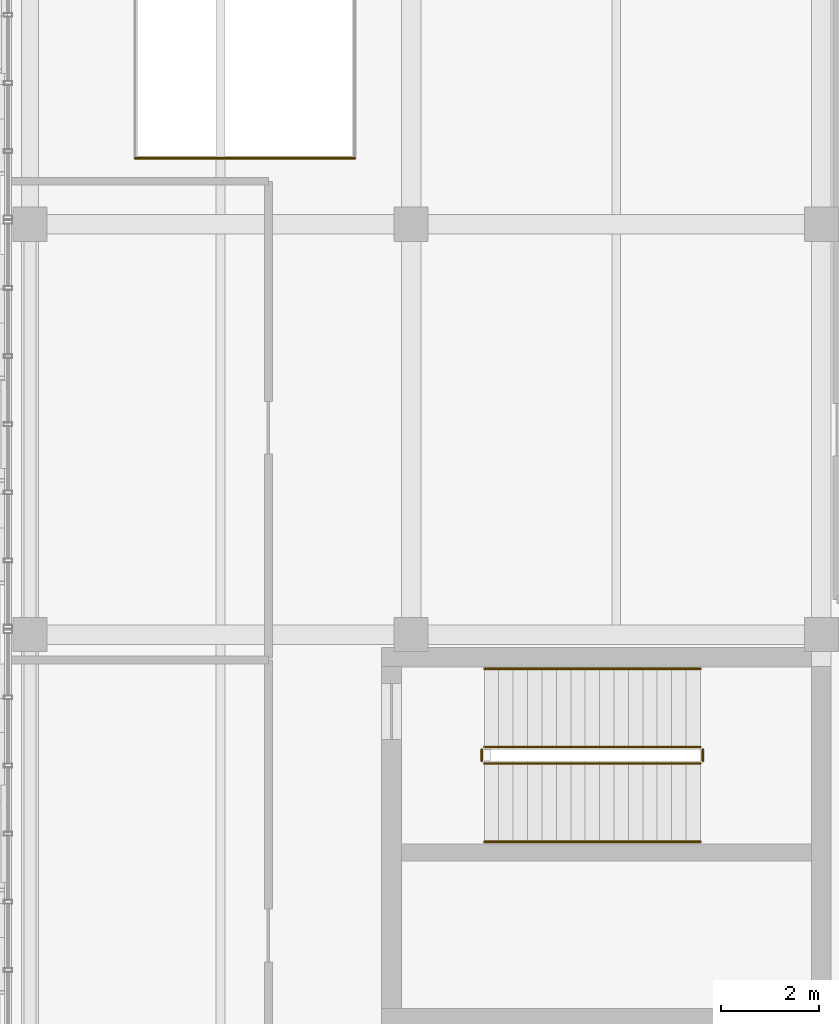
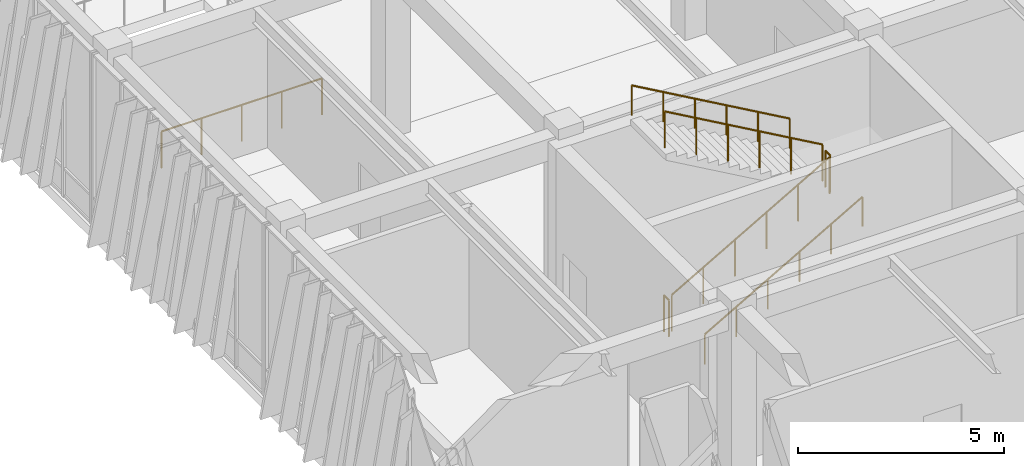
# One storey, part 127 of 139: 7 railings.
"""IFC4 building model written with IfcOpenShell, lengths in metres."""

from ifc_helpers import new_model, si_unit, direction, frame, origin, origin_2d, place, context, subcontext, project, spatial, circle, extrude, material, type_object, element, save


model = new_model("IFC4")

# Units and contexts
model_context = context("Model", 3, precision=1e-05, world=origin(), true_north=direction((0.0, 1.0)))
body_context = subcontext(model_context, "Body", "Model", "MODEL_VIEW")
ifc_project = project(units=[si_unit("LENGTHUNIT", "METRE"), si_unit("AREAUNIT", "SQUARE_METRE"), si_unit("VOLUMEUNIT", "CUBIC_METRE"), si_unit("PLANEANGLEUNIT", "RADIAN"), si_unit("MASSUNIT", "GRAM", prefix="KILO")], contexts=[model_context])

# Site, building, storey
site_placement = place(None, origin())
site = spatial("IfcSite", under=ifc_project, at=site_placement, CompositionType="ELEMENT")
building_placement = place(site_placement, origin())
building = spatial("IfcBuilding", under=site, at=building_placement, Name="Zayran Congress Hotel", CompositionType="ELEMENT")
storey_placement = place(building_placement, frame((0.0, 0.0, 5.39990234375)))
storey = spatial("IfcBuildingStorey", under=building, at=storey_placement, Name="L01", CompositionType="ELEMENT", Elevation=5.39990234375)

# Railings
ifc_material_1 = material(Name="Painted steel balustrade", Category="steel")
railing_type_1 = type_object("IfcRailingType", Name="TP-GRD-INT", PredefinedType="GUARDRAIL", material=ifc_material_1)
railing_1_placement = place(storey_placement, frame((119.10009765625, 56.56005859375, 0.1689453125)))
element("IfcRailing", 1, at=railing_1_placement, inside=storey, type_object=railing_type_1, Name="L01 ST-08 stair guard 1", PredefinedType="GUARDRAIL", context=body_context, shape_type="SweptSolid", body=[
    extrude(circle(Radius=0.02392578125, at=origin_2d()), frame((0.0, 0.0, 1.076171875), z_axis=(0.868007264643, 0.0, 0.496551496349), x_axis=(0.0, 1.0, 0.0)), (0.0, 0.0, 1.0), 5.09765625),
    extrude(circle(Radius=0.02099609375, at=origin_2d()), origin(), (0.0, 0.0, 1.0), 1.052001953125),
    extrude(circle(Radius=0.02099609375, at=origin_2d()), frame((0.885009765625, 0.0, 0.50634765625)), (0.0, 0.0, 1.0), 1.052001953125),
    extrude(circle(Radius=0.02099609375, at=origin_2d()), frame((1.77001953125, 0.0, 1.012451171875)), (0.0, 0.0, 1.0), 1.052001953125),
    extrude(circle(Radius=0.02099609375, at=origin_2d()), frame((2.65478515625, 0.0, 1.518798828125)), (0.0, 0.0, 1.0), 1.052001953125),
    extrude(circle(Radius=0.02099609375, at=origin_2d()), frame((3.539794921875, 0.0, 2.02490234375)), (0.0, 0.0, 1.0), 1.052001953125),
    extrude(circle(Radius=0.02099609375, at=origin_2d()), frame((4.4248046875, 0.0, 2.53125)), (0.0, 0.0, 1.0), 1.052001953125),
])
railing_2_placement = place(storey_placement, frame((123.574951171875, 56.610107421875, 2.7001953125)))
element("IfcRailing", 2, at=railing_2_placement, inside=storey, type_object=railing_type_1, Name="L01 ST-08 stair guard 2", PredefinedType="GUARDRAIL", context=body_context, shape_type="SweptSolid", body=[
    extrude(circle(Radius=0.02392578125, at=origin_2d()), frame((0.0, 0.0, 1.076171875), z_axis=(0.0, 1.0, 0.0), x_axis=(-1.0, 0.0, 0.0)), (0.0, 0.0, 1.0), 0.239990234375),
    extrude(circle(Radius=0.02099609375, at=origin_2d()), origin(), (0.0, 0.0, 1.0), 1.052001953125),
    extrude(circle(Radius=0.02099609375, at=origin_2d()), frame((0.0, 0.239990234375, 0.0)), (0.0, 0.0, 1.0), 1.052001953125),
])
railing_3_placement = place(storey_placement, frame((123.52490234375, 56.89990234375, 2.868896484375)))
element("IfcRailing", 3, at=railing_3_placement, inside=storey, type_object=railing_type_1, Name="L01 ST-08 stair guard 3", PredefinedType="GUARDRAIL", context=body_context, shape_type="SweptSolid", body=[
    extrude(circle(Radius=0.02392578125, at=origin_2d()), frame((0.0, 0.0, 1.076171875), z_axis=(-0.868007264643, 0.0, 0.496551496349), x_axis=(0.0, -1.0, 0.0)), (0.0, 0.0, 1.0), 5.09765625),
    extrude(circle(Radius=0.02099609375, at=origin_2d()), origin(), (0.0, 0.0, 1.0), 1.052001953125),
    extrude(circle(Radius=0.02099609375, at=origin_2d()), frame((-0.885009765625, 0.0, 0.50634765625)), (0.0, 0.0, 1.0), 1.052001953125),
    extrude(circle(Radius=0.02099609375, at=origin_2d()), frame((-1.77001953125, 0.0, 1.012451171875)), (0.0, 0.0, 1.0), 1.052001953125),
    extrude(circle(Radius=0.02099609375, at=origin_2d()), frame((-2.65478515625, 0.0, 1.518798828125)), (0.0, 0.0, 1.0), 1.052001953125),
    extrude(circle(Radius=0.02099609375, at=origin_2d()), frame((-3.539794921875, 0.0, 2.02490234375)), (0.0, 0.0, 1.0), 1.052001953125),
    extrude(circle(Radius=0.02099609375, at=origin_2d()), frame((-4.4248046875, 0.0, 2.53125)), (0.0, 0.0, 1.0), 1.052001953125),
])
railing_4_placement = place(storey_placement, frame((119.050048828125, 56.610107421875, 0.0)))
element("IfcRailing", 4, at=railing_4_placement, inside=storey, type_object=railing_type_1, Name="L01 ST-08 stair guard 4", PredefinedType="GUARDRAIL", context=body_context, shape_type="SweptSolid", body=[
    extrude(circle(Radius=0.02392578125, at=origin_2d()), frame((0.0, 0.0, 1.076171875), z_axis=(0.0, 1.0, 0.0), x_axis=(-1.0, 0.0, 0.0)), (0.0, 0.0, 1.0), 0.239990234375),
    extrude(circle(Radius=0.02099609375, at=origin_2d()), origin(), (0.0, 0.0, 1.0), 1.052001953125),
    extrude(circle(Radius=0.02099609375, at=origin_2d()), frame((0.0, 0.239990234375, 0.0)), (0.0, 0.0, 1.0), 1.052001953125),
])
railing_5_placement = place(storey_placement, frame((111.949951171875, 68.949951171875, 0.0)))
element("IfcRailing", 5, at=railing_5_placement, inside=storey, type_object=railing_type_1, Name="V4 L01 Interior Void Guardrail V4-L01-WL-S", PredefinedType="GUARDRAIL", context=body_context, shape_type="SweptSolid", body=[
    extrude(circle(Radius=0.02392578125, at=origin_2d()), frame((0.0, 0.0, 1.076171875), z_axis=(1.0, 0.0, 0.0), x_axis=(0.0, 1.0, 0.0)), (0.0, 0.0, 1.0), 4.5),
    extrude(circle(Radius=0.02099609375, at=origin_2d()), origin(), (0.0, 0.0, 1.0), 1.052001953125),
    extrude(circle(Radius=0.02099609375, at=origin_2d()), frame((1.125, 0.0, 0.0)), (0.0, 0.0, 1.0), 1.052001953125),
    extrude(circle(Radius=0.02099609375, at=origin_2d()), frame((2.25, 0.0, 0.0)), (0.0, 0.0, 1.0), 1.052001953125),
    extrude(circle(Radius=0.02099609375, at=origin_2d()), frame((3.375, 0.0, 0.0)), (0.0, 0.0, 1.0), 1.052001953125),
    extrude(circle(Radius=0.02099609375, at=origin_2d()), frame((4.5, 0.0, 0.0)), (0.0, 0.0, 1.0), 1.052001953125),
])
ifc_material_2 = material(Name="Brushed stainless steel handrail", Category="steel")
railing_type_2 = type_object("IfcRailingType", Name="TP-HND-STR", PredefinedType="HANDRAIL", material=ifc_material_2)
railing_6_placement = place(storey_placement, frame((119.10009765625, 54.9599609375, 0.1689453125)))
element("IfcRailing", 6, at=railing_6_placement, inside=storey, type_object=railing_type_2, Name="L01 ST-08 stair handrail 1", PredefinedType="HANDRAIL", context=body_context, shape_type="SweptSolid", body=[
    extrude(circle(Radius=0.02392578125, at=origin_2d()), frame((0.0, 0.0, 0.8759765625), z_axis=(0.868007264643, 0.0, 0.496551496349), x_axis=(0.0, 1.0, 0.0)), (0.0, 0.0, 1.0), 5.09765625),
    extrude(circle(Radius=0.02099609375, at=origin_2d()), origin(), (0.0, 0.0, 1.0), 0.851806640625),
    extrude(circle(Radius=0.02099609375, at=origin_2d()), frame((0.885009765625, 0.0, 0.50634765625)), (0.0, 0.0, 1.0), 0.851806640625),
    extrude(circle(Radius=0.02099609375, at=origin_2d()), frame((1.77001953125, 0.0, 1.012451171875)), (0.0, 0.0, 1.0), 0.851806640625),
    extrude(circle(Radius=0.02099609375, at=origin_2d()), frame((2.65478515625, 0.0, 1.518798828125)), (0.0, 0.0, 1.0), 0.851806640625),
    extrude(circle(Radius=0.02099609375, at=origin_2d()), frame((3.539794921875, 0.0, 2.02490234375)), (0.0, 0.0, 1.0), 0.851806640625),
    extrude(circle(Radius=0.02099609375, at=origin_2d()), frame((4.4248046875, 0.0, 2.53125)), (0.0, 0.0, 1.0), 0.851806640625),
])
railing_7_placement = place(storey_placement, frame((123.52490234375, 58.5, 2.868896484375)))
element("IfcRailing", 7, at=railing_7_placement, inside=storey, type_object=railing_type_2, Name="L01 ST-08 stair handrail 2", PredefinedType="HANDRAIL", context=body_context, shape_type="SweptSolid", body=[
    extrude(circle(Radius=0.02392578125, at=origin_2d()), frame((0.0, 0.0, 0.8759765625), z_axis=(-0.868007264643, 0.0, 0.496551496349), x_axis=(0.0, -1.0, 0.0)), (0.0, 0.0, 1.0), 5.09765625),
    extrude(circle(Radius=0.02099609375, at=origin_2d()), origin(), (0.0, 0.0, 1.0), 0.851806640625),
    extrude(circle(Radius=0.02099609375, at=origin_2d()), frame((-0.885009765625, 0.0, 0.50634765625)), (0.0, 0.0, 1.0), 0.851806640625),
    extrude(circle(Radius=0.02099609375, at=origin_2d()), frame((-1.77001953125, 0.0, 1.012451171875)), (0.0, 0.0, 1.0), 0.851806640625),
    extrude(circle(Radius=0.02099609375, at=origin_2d()), frame((-2.65478515625, 0.0, 1.518798828125)), (0.0, 0.0, 1.0), 0.851806640625),
    extrude(circle(Radius=0.02099609375, at=origin_2d()), frame((-3.539794921875, 0.0, 2.02490234375)), (0.0, 0.0, 1.0), 0.851806640625),
    extrude(circle(Radius=0.02099609375, at=origin_2d()), frame((-4.4248046875, 0.0, 2.53125)), (0.0, 0.0, 1.0), 0.851806640625),
])

save(model, "model.ifc")
